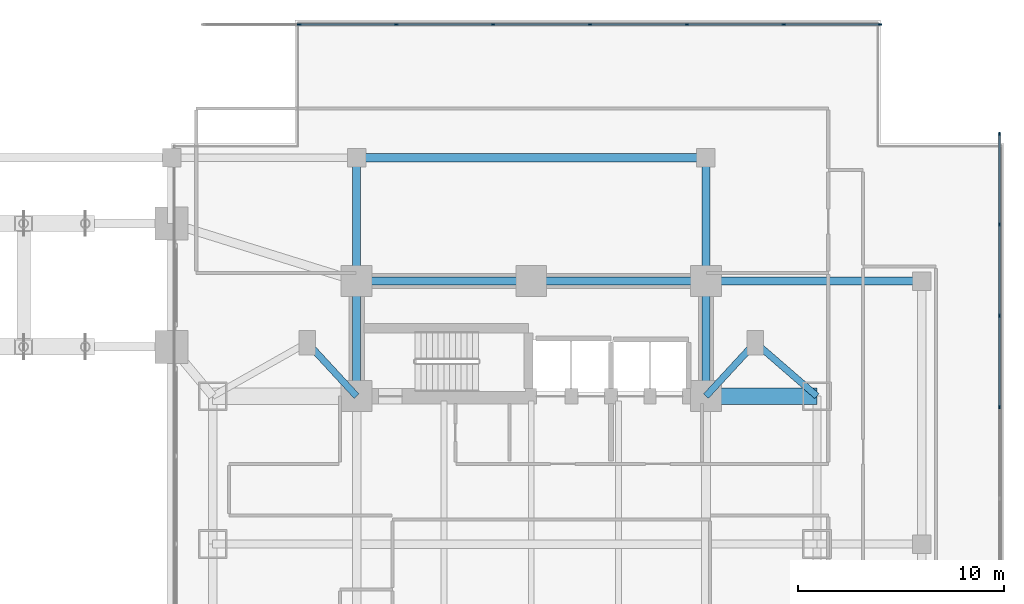
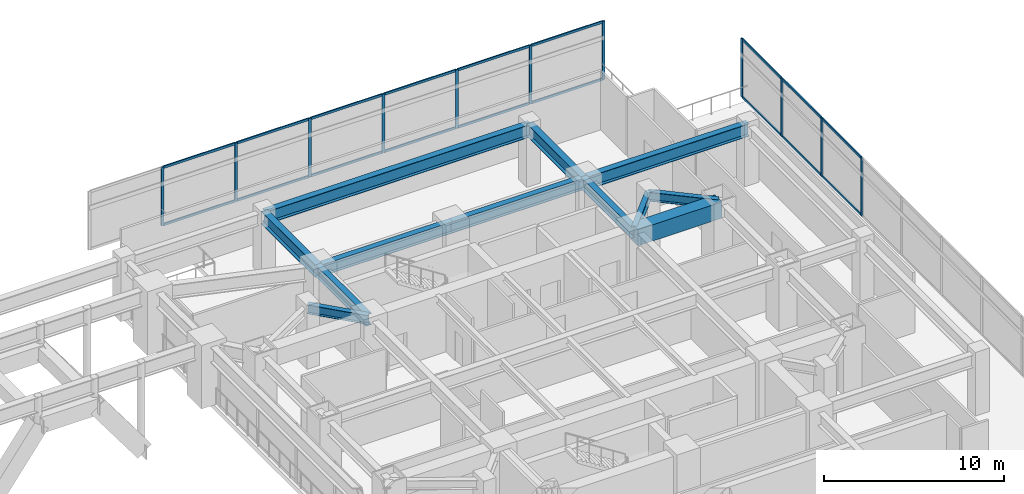
# One storey, part 12 of 30: 29 members, 12 beams, 2 elements without a shape of their own.
"""IFC4 building model written with IfcOpenShell, lengths in metres."""

from ifc_helpers import new_model, si_unit, direction, frame, origin, origin_2d, place, context, subcontext, project, spatial, rectangle, i_section, extrude, material, material_profile, profile_set, type_object, element, aggregate, save


model = new_model("IFC4")

# Units and contexts
model_context = context("Model", 3, precision=1e-05, world=origin(), true_north=direction((0.0, 1.0)))
body_context = subcontext(model_context, "Body", "Model", "MODEL_VIEW")
ifc_project = project(units=[si_unit("LENGTHUNIT", "METRE"), si_unit("AREAUNIT", "SQUARE_METRE"), si_unit("VOLUMEUNIT", "CUBIC_METRE"), si_unit("PLANEANGLEUNIT", "RADIAN"), si_unit("MASSUNIT", "GRAM", prefix="KILO")], contexts=[model_context])

# Site, building, storey
site_placement = place(None, origin())
site = spatial("IfcSite", under=ifc_project, at=site_placement, CompositionType="ELEMENT")
building_placement = place(site_placement, origin())
building = spatial("IfcBuilding", under=site, at=building_placement, Name="Mirazonda Arch Towers", CompositionType="ELEMENT")
storey_placement = place(building_placement, frame((0.0, 0.0, 9.5)))
storey = spatial("IfcBuildingStorey", under=building, at=storey_placement, Name="L02", CompositionType="ELEMENT", Elevation=9.5)

# Beams
ifc_material_1 = material(Name="Steel ASTM A992 Grade 50", Category="steel")
ifc_material_profile_1 = material_profile(ifc_material_1, i_section(OverallWidth=0.39990234375, OverallDepth=0.85595703125, WebThickness=0.018310546875, FlangeThickness=0.029296875, at=origin_2d()), Name="W33X201")
ifc_profile_set_1 = profile_set([ifc_material_profile_1], Name="Steel ASTM A992 Grade 50")
beam_type_1 = type_object("IfcBeamType", Name="BM-EXT-W33X201", PredefinedType="USERDEFINED", material=ifc_profile_set_1)
beam_1_placement = place(storey_placement, frame((68.0, 46.800048828125, 3.552001953125), z_axis=(1.0, 0.0, 0.0), x_axis=(0.0, 1.0, 0.0)))
element("IfcBeam", 1, at=beam_1_placement, inside=storey, type_object=beam_type_1, Name="L02 Floor Beam BM-POD-L02-PN-5", ObjectType="GIRDER", PredefinedType="USERDEFINED", context=body_context, shape_type="SweptSolid", body=[
    extrude(i_section(OverallWidth=0.39990234375, OverallDepth=0.85595703125, WebThickness=0.018310546875, FlangeThickness=0.029296875, at=origin_2d()), origin(), (0.0, 0.0, 1.0), 17.0),
])
ifc_material_profile_2 = material_profile(ifc_material_1, i_section(OverallWidth=0.324951171875, OverallDepth=0.615966796875, WebThickness=0.013916015625, FlangeThickness=0.021484375, at=origin_2d()), Name="W24X117")
ifc_profile_set_2 = profile_set([ifc_material_profile_2], Name="Steel ASTM A992 Grade 50")
beam_type_2 = type_object("IfcBeamType", Name="BM-INT-W24X117", PredefinedType="BEAM", material=ifc_profile_set_2)
for number, where, z_axis, x_axis, name in (
    (2, (65.60009765625, 37.800048828125, 3.672119140625), (0.678251444854, -0.734829897019, 0.0), (0.734829897019, 0.678251444854, 0.0), "L02 Floor Beam BM-T2-L02-PL-NW1"),
    (3, (87.39990234375, 37.800048828125, 3.672119140625), (-0.678251444854, -0.734829897019, 0.0), (0.734829897019, -0.678251444854, 0.0), "L02 Floor Beam BM-T2-L02-PL-NE1"),
):
    element("IfcBeam", number, at=place(storey_placement, frame(where, z_axis=z_axis, x_axis=x_axis)), inside=storey, type_object=beam_type_2, Name=name, PredefinedType="BEAM", context=body_context, shape_type="SweptSolid", body=[
        extrude(i_section(OverallWidth=0.324951171875, OverallDepth=0.615966796875, WebThickness=0.013916015625, FlangeThickness=0.021484375, at=origin_2d()), origin(), (0.0, 0.0, 1.0), 3.538330078125),
    ])
beam_2_placement = place(storey_placement, frame((87.39990234375, 37.800048828125, 3.672119140625), z_axis=(0.755676908098, -0.654944585876, 0.0), x_axis=(0.654944585876, 0.755676908098, 0.0)))
element("IfcBeam", 4, at=beam_2_placement, inside=storey, type_object=beam_type_2, Name="L02 Floor Beam BM-T2-L02-PL-NE2", PredefinedType="BEAM", context=body_context, shape_type="SweptSolid", body=[
    extrude(i_section(OverallWidth=0.324951171875, OverallDepth=0.615966796875, WebThickness=0.013916015625, FlangeThickness=0.021484375, at=origin_2d()), origin(), (0.0, 0.0, 1.0), 3.969970703125),
])
ifc_material_profile_3 = material_profile(ifc_material_1, i_section(OverallWidth=0.381103515625, OverallDepth=0.77294921875, WebThickness=0.0166015625, FlangeThickness=0.027099609375, at=origin_2d()), Name="W30X173")
ifc_profile_set_3 = profile_set([ifc_material_profile_3], Name="Steel ASTM A992 Grade 50")
beam_type_3 = type_object("IfcBeamType", Name="BM-INT-W30X173", PredefinedType="USERDEFINED", material=ifc_profile_set_3)
for number, where, z_axis, x_axis, name in (
    (5, (68.0, 40.800048828125, 3.593505859375), (1.0, 0.0, 0.0), (0.0, 1.0, 0.0), "L02 Floor Beam BM-T2-L02-CN1"),
    (6, (76.5, 40.800048828125, 3.593505859375), (1.0, 0.0, 0.0), (0.0, 1.0, 0.0), "L02 Floor Beam BM-T2-L02-CN2"),
):
    element("IfcBeam", number, at=place(storey_placement, frame(where, z_axis=z_axis, x_axis=x_axis)), inside=storey, type_object=beam_type_3, Name=name, ObjectType="GIRDER", PredefinedType="USERDEFINED", context=body_context, shape_type="SweptSolid", body=[
        extrude(i_section(OverallWidth=0.381103515625, OverallDepth=0.77294921875, WebThickness=0.0166015625, FlangeThickness=0.027099609375, at=origin_2d()), origin(), (0.0, 0.0, 1.0), 8.5),
    ])
for number, where, z_axis, x_axis, name in (
    (7, (68.0, 35.199951171875, 3.593505859375), (0.0, 1.0, 0.0), (-1.0, 0.0, 0.0), "L02 Floor Beam BM-T2-L02-CNW"),
    (8, (85.0, 35.199951171875, 3.593505859375), (0.0, 1.0, 0.0), (-1.0, 0.0, 0.0), "L02 Floor Beam BM-T2-L02-CNE"),
):
    element("IfcBeam", number, at=place(storey_placement, frame(where, z_axis=z_axis, x_axis=x_axis)), inside=storey, type_object=beam_type_3, Name=name, ObjectType="GIRDER", PredefinedType="USERDEFINED", context=body_context, shape_type="SweptSolid", body=[
        extrude(i_section(OverallWidth=0.381103515625, OverallDepth=0.77294921875, WebThickness=0.0166015625, FlangeThickness=0.027099609375, at=origin_2d()), origin(), (0.0, 0.0, 1.0), 5.60009765625),
    ])
ifc_material_profile_4 = material_profile(ifc_material_1, i_section(OverallWidth=0.39990234375, OverallDepth=0.85595703125, WebThickness=0.018310546875, FlangeThickness=0.029296875, at=origin_2d()), Name="W33X201")
ifc_profile_set_4 = profile_set([ifc_material_profile_4], Name="Steel ASTM A992 Grade 50")
beam_type_4 = type_object("IfcBeamType", Name="BM-INT-W33X201", PredefinedType="USERDEFINED", material=ifc_profile_set_4)
for number, where, z_axis, x_axis, name in (
    (9, (68.0, 40.800048828125, 3.552001953125), (0.0, 1.0, 0.0), (-1.0, 0.0, 0.0), "L02 Floor Beam BM-POD-L02-PCN-6"),
    (10, (85.0, 40.800048828125, 3.552001953125), (0.0, 1.0, 0.0), (-1.0, 0.0, 0.0), "L02 Floor Beam BM-POD-L02-PCN-7"),
):
    element("IfcBeam", number, at=place(storey_placement, frame(where, z_axis=z_axis, x_axis=x_axis)), inside=storey, type_object=beam_type_4, Name=name, ObjectType="GIRDER", PredefinedType="USERDEFINED", context=body_context, shape_type="SweptSolid", body=[
        extrude(i_section(OverallWidth=0.39990234375, OverallDepth=0.85595703125, WebThickness=0.018310546875, FlangeThickness=0.029296875, at=origin_2d()), origin(), (0.0, 0.0, 1.0), 6.0),
    ])
beam_3_placement = place(storey_placement, frame((85.0, 40.800048828125, 3.552001953125), z_axis=(1.0, 0.0, 0.0), x_axis=(0.0, 1.0, 0.0)))
element("IfcBeam", 11, at=beam_3_placement, inside=storey, type_object=beam_type_4, Name="L02 Floor Beam BM-POD-L02-PCE-3", ObjectType="GIRDER", PredefinedType="USERDEFINED", context=body_context, shape_type="SweptSolid", body=[
    extrude(i_section(OverallWidth=0.39990234375, OverallDepth=0.85595703125, WebThickness=0.018310546875, FlangeThickness=0.029296875, at=origin_2d()), origin(), (0.0, 0.0, 1.0), 10.5),
])
ifc_material_2 = material(Name="Concrete C60/75", Category="concrete")
ifc_material_profile_5 = material_profile(ifc_material_2, rectangle(XDim=0.800048828125, YDim=1.10009765625, at=origin_2d()), Name="RCCB800x1100")
ifc_profile_set_5 = profile_set([ifc_material_profile_5], Name="Concrete C60/75")
beam_type_5 = type_object("IfcBeamType", Name="CB-INT-RCCB800x1100", PredefinedType="SPANDREL", material=ifc_profile_set_5)
beam_4_placement = place(storey_placement, frame((85.0, 35.199951171875, 3.429931640625), z_axis=(1.0, 0.0, 0.0), x_axis=(0.0, 1.0, 0.0)))
element("IfcBeam", 12, at=beam_4_placement, inside=storey, type_object=beam_type_5, Name="L02 Floor Beam CB-T2-L02-NE", PredefinedType="SPANDREL", context=body_context, shape_type="SweptSolid", body=[
    extrude(rectangle(XDim=0.800048828125, YDim=1.10009765625, at=origin_2d()), origin(), (0.0, 0.0, 1.0), 5.39990234375),
])

# Curtain wall, members
ifc_material_3 = material(Name="Anodised Aluminium and Low-E Glass", Category="aluminium")
curtain_wall_type = type_object("IfcCurtainWallType", Name="CW-POD-STORE", PredefinedType="NOTDEFINED", material=ifc_material_3)
curtain_wall_1_placement = place(storey_placement, origin())
curtain_wall_1 = element("IfcCurtainWall", 13, at=curtain_wall_1_placement, inside=storey, type_object=curtain_wall_type, Name="L02 Curtain Wall CW-L02-EN", PredefinedType="NOTDEFINED")
ifc_material_4 = material(Name="Anodised Aluminium Alloy", Category="aluminium")
ifc_material_profile_6 = material_profile(ifc_material_4, rectangle(XDim=0.080078125, YDim=0.179931640625, at=origin_2d()), Name="ALU-MULL-80x180")
ifc_profile_set_6 = profile_set([ifc_material_profile_6], Name="Anodised Aluminium Alloy")
member_type_1 = type_object("IfcMemberType", Name="MULL-CW-POD-STORE", PredefinedType="MULLION", material=ifc_profile_set_6)
member_1_placement = place(storey_placement, frame((65.21435546875, 53.280029296875, 0.0), z_axis=(0.0, 0.0, 1.0), x_axis=(0.0, 1.0, 0.0)))
member_1 = element("IfcMember", 14, at=member_1_placement, type_object=member_type_1, Name="CW-102 mullion 2", PredefinedType="MULLION", context=body_context, shape_type="SweptSolid", body=[
    extrude(rectangle(XDim=0.080078125, YDim=0.179931640625, at=origin_2d()), origin(), (0.0, 0.0, 1.0), 3.9599609375),
])
member_2_placement = place(storey_placement, frame((69.928466796875, 53.280029296875, 0.0), z_axis=(0.0, 0.0, 1.0), x_axis=(0.0, 1.0, 0.0)))
member_2 = element("IfcMember", 15, at=member_2_placement, type_object=member_type_1, Name="CW-102 mullion 3", PredefinedType="MULLION", context=body_context, shape_type="SweptSolid", body=[
    extrude(rectangle(XDim=0.080078125, YDim=0.179931640625, at=origin_2d()), origin(), (0.0, 0.0, 1.0), 3.9599609375),
])
member_3_placement = place(storey_placement, frame((74.642822265625, 53.280029296875, 0.0), z_axis=(0.0, 0.0, 1.0), x_axis=(0.0, 1.0, 0.0)))
member_3 = element("IfcMember", 16, at=member_3_placement, type_object=member_type_1, Name="CW-102 mullion 4", PredefinedType="MULLION", context=body_context, shape_type="SweptSolid", body=[
    extrude(rectangle(XDim=0.080078125, YDim=0.179931640625, at=origin_2d()), origin(), (0.0, 0.0, 1.0), 3.9599609375),
])
member_4_placement = place(storey_placement, frame((79.357177734375, 53.280029296875, 0.0), z_axis=(0.0, 0.0, 1.0), x_axis=(0.0, 1.0, 0.0)))
member_4 = element("IfcMember", 17, at=member_4_placement, type_object=member_type_1, Name="CW-102 mullion 5", PredefinedType="MULLION", context=body_context, shape_type="SweptSolid", body=[
    extrude(rectangle(XDim=0.080078125, YDim=0.179931640625, at=origin_2d()), origin(), (0.0, 0.0, 1.0), 3.9599609375),
])
member_5_placement = place(storey_placement, frame((84.071533203125, 53.280029296875, 0.0), z_axis=(0.0, 0.0, 1.0), x_axis=(0.0, 1.0, 0.0)))
member_5 = element("IfcMember", 18, at=member_5_placement, type_object=member_type_1, Name="CW-102 mullion 6", PredefinedType="MULLION", context=body_context, shape_type="SweptSolid", body=[
    extrude(rectangle(XDim=0.080078125, YDim=0.179931640625, at=origin_2d()), origin(), (0.0, 0.0, 1.0), 3.9599609375),
])
member_6_placement = place(storey_placement, frame((88.78564453125, 53.280029296875, 0.0), z_axis=(0.0, 0.0, 1.0), x_axis=(0.0, 1.0, 0.0)))
member_6 = element("IfcMember", 19, at=member_6_placement, type_object=member_type_1, Name="CW-102 mullion 7", PredefinedType="MULLION", context=body_context, shape_type="SweptSolid", body=[
    extrude(rectangle(XDim=0.080078125, YDim=0.179931640625, at=origin_2d()), origin(), (0.0, 0.0, 1.0), 3.9599609375),
])
member_7_placement = place(storey_placement, frame((93.4599609375, 53.280029296875, 0.0), z_axis=(0.0, 0.0, 1.0), x_axis=(0.0, 1.0, 0.0)))
member_7 = element("IfcMember", 20, at=member_7_placement, type_object=member_type_1, Name="CW-102 mullion 8", PredefinedType="MULLION", context=body_context, shape_type="SweptSolid", body=[
    extrude(rectangle(XDim=0.080078125, YDim=0.179931640625, at=origin_2d()), origin(), (0.0, 0.0, 1.0), 3.9599609375),
])

curtain_wall_2_placement = place(storey_placement, origin())
curtain_wall_2 = element("IfcCurtainWall", 21, at=curtain_wall_2_placement, inside=storey, type_object=curtain_wall_type, Name="L02 Curtain Wall CW-L02-EE", PredefinedType="NOTDEFINED")
member_8_placement = place(storey_placement, frame((99.280029296875, 34.666748046875, 0.0), z_axis=(0.0, 0.0, 1.0), x_axis=(-1.0, 0.0, 0.0)))
member_8 = element("IfcMember", 22, at=member_8_placement, type_object=member_type_1, Name="CW-102 mullion 7", PredefinedType="MULLION", context=body_context, shape_type="SweptSolid", body=[
    extrude(rectangle(XDim=0.080078125, YDim=0.179931640625, at=origin_2d()), origin(), (0.0, 0.0, 1.0), 3.9599609375),
])
member_9_placement = place(storey_placement, frame((99.280029296875, 39.111083984375, 0.0), z_axis=(0.0, 0.0, 1.0), x_axis=(-1.0, 0.0, 0.0)))
member_9 = element("IfcMember", 23, at=member_9_placement, type_object=member_type_1, Name="CW-102 mullion 8", PredefinedType="MULLION", context=body_context, shape_type="SweptSolid", body=[
    extrude(rectangle(XDim=0.080078125, YDim=0.179931640625, at=origin_2d()), origin(), (0.0, 0.0, 1.0), 3.9599609375),
])
member_10_placement = place(storey_placement, frame((99.280029296875, 43.5556640625, 0.0), z_axis=(0.0, 0.0, 1.0), x_axis=(-1.0, 0.0, 0.0)))
member_10 = element("IfcMember", 24, at=member_10_placement, type_object=member_type_1, Name="CW-102 mullion 9", PredefinedType="MULLION", context=body_context, shape_type="SweptSolid", body=[
    extrude(rectangle(XDim=0.080078125, YDim=0.179931640625, at=origin_2d()), origin(), (0.0, 0.0, 1.0), 3.9599609375),
])
member_11_placement = place(storey_placement, frame((99.280029296875, 47.9599609375, 0.0), z_axis=(0.0, 0.0, 1.0), x_axis=(-1.0, 0.0, 0.0)))
member_11 = element("IfcMember", 25, at=member_11_placement, type_object=member_type_1, Name="CW-102 mullion 10", PredefinedType="MULLION", context=body_context, shape_type="SweptSolid", body=[
    extrude(rectangle(XDim=0.080078125, YDim=0.179931640625, at=origin_2d()), origin(), (0.0, 0.0, 1.0), 3.9599609375),
])

# Member
ifc_material_profile_7 = material_profile(ifc_material_4, rectangle(XDim=0.080078125, YDim=0.159912109375, at=origin_2d()), Name="ALU-TRAN-80x160")
ifc_profile_set_7 = profile_set([ifc_material_profile_7], Name="Anodised Aluminium Alloy")
member_type_2 = type_object("IfcMemberType", Name="TRAN-CW-POD-STORE", PredefinedType="USERDEFINED", material=ifc_profile_set_7)
member_12_placement = place(storey_placement, frame((65.25439453125, 53.280029296875, 0.0400390625), z_axis=(1.0, 0.0, 0.0), x_axis=(0.0, 1.0, 0.0)))
member_12 = element("IfcMember", 26, at=member_12_placement, type_object=member_type_2, Name="CW-102 transom 2.1", ObjectType="TRANSOM", PredefinedType="USERDEFINED", context=body_context, shape_type="SweptSolid", body=[
    extrude(rectangle(XDim=0.080078125, YDim=0.159912109375, at=origin_2d()), origin(), (0.0, 0.0, 1.0), 4.63427734375),
])

member_13_placement = place(storey_placement, frame((65.25439453125, 53.280029296875, 3.919921875), z_axis=(1.0, 0.0, 0.0), x_axis=(0.0, 1.0, 0.0)))
member_13 = element("IfcMember", 27, at=member_13_placement, type_object=member_type_2, Name="CW-102 transom 2.2", ObjectType="TRANSOM", PredefinedType="USERDEFINED", context=body_context, shape_type="SweptSolid", body=[
    extrude(rectangle(XDim=0.080078125, YDim=0.159912109375, at=origin_2d()), origin(), (0.0, 0.0, 1.0), 4.63427734375),
])

member_14_placement = place(storey_placement, frame((69.968505859375, 53.280029296875, 0.0400390625), z_axis=(1.0, 0.0, 0.0), x_axis=(0.0, 1.0, 0.0)))
member_14 = element("IfcMember", 28, at=member_14_placement, type_object=member_type_2, Name="CW-102 transom 3.1", ObjectType="TRANSOM", PredefinedType="USERDEFINED", context=body_context, shape_type="SweptSolid", body=[
    extrude(rectangle(XDim=0.080078125, YDim=0.159912109375, at=origin_2d()), origin(), (0.0, 0.0, 1.0), 4.63427734375),
])

member_15_placement = place(storey_placement, frame((69.968505859375, 53.280029296875, 3.919921875), z_axis=(1.0, 0.0, 0.0), x_axis=(0.0, 1.0, 0.0)))
member_15 = element("IfcMember", 29, at=member_15_placement, type_object=member_type_2, Name="CW-102 transom 3.2", ObjectType="TRANSOM", PredefinedType="USERDEFINED", context=body_context, shape_type="SweptSolid", body=[
    extrude(rectangle(XDim=0.080078125, YDim=0.159912109375, at=origin_2d()), origin(), (0.0, 0.0, 1.0), 4.63427734375),
])

member_16_placement = place(storey_placement, frame((74.682861328125, 53.280029296875, 0.0400390625), z_axis=(1.0, 0.0, 0.0), x_axis=(0.0, 1.0, 0.0)))
member_16 = element("IfcMember", 30, at=member_16_placement, type_object=member_type_2, Name="CW-102 transom 4.1", ObjectType="TRANSOM", PredefinedType="USERDEFINED", context=body_context, shape_type="SweptSolid", body=[
    extrude(rectangle(XDim=0.080078125, YDim=0.159912109375, at=origin_2d()), origin(), (0.0, 0.0, 1.0), 4.63427734375),
])

member_17_placement = place(storey_placement, frame((74.682861328125, 53.280029296875, 3.919921875), z_axis=(1.0, 0.0, 0.0), x_axis=(0.0, 1.0, 0.0)))
member_17 = element("IfcMember", 31, at=member_17_placement, type_object=member_type_2, Name="CW-102 transom 4.2", ObjectType="TRANSOM", PredefinedType="USERDEFINED", context=body_context, shape_type="SweptSolid", body=[
    extrude(rectangle(XDim=0.080078125, YDim=0.159912109375, at=origin_2d()), origin(), (0.0, 0.0, 1.0), 4.63427734375),
])

member_18_placement = place(storey_placement, frame((79.397216796875, 53.280029296875, 0.0400390625), z_axis=(1.0, 0.0, 0.0), x_axis=(0.0, 1.0, 0.0)))
member_18 = element("IfcMember", 32, at=member_18_placement, type_object=member_type_2, Name="CW-102 transom 5.1", ObjectType="TRANSOM", PredefinedType="USERDEFINED", context=body_context, shape_type="SweptSolid", body=[
    extrude(rectangle(XDim=0.080078125, YDim=0.159912109375, at=origin_2d()), origin(), (0.0, 0.0, 1.0), 4.63427734375),
])

member_19_placement = place(storey_placement, frame((79.397216796875, 53.280029296875, 3.919921875), z_axis=(1.0, 0.0, 0.0), x_axis=(0.0, 1.0, 0.0)))
member_19 = element("IfcMember", 33, at=member_19_placement, type_object=member_type_2, Name="CW-102 transom 5.2", ObjectType="TRANSOM", PredefinedType="USERDEFINED", context=body_context, shape_type="SweptSolid", body=[
    extrude(rectangle(XDim=0.080078125, YDim=0.159912109375, at=origin_2d()), origin(), (0.0, 0.0, 1.0), 4.63427734375),
])

member_20_placement = place(storey_placement, frame((84.111328125, 53.280029296875, 0.0400390625), z_axis=(1.0, 0.0, 0.0), x_axis=(0.0, 1.0, 0.0)))
member_20 = element("IfcMember", 34, at=member_20_placement, type_object=member_type_2, Name="CW-102 transom 6.1", ObjectType="TRANSOM", PredefinedType="USERDEFINED", context=body_context, shape_type="SweptSolid", body=[
    extrude(rectangle(XDim=0.080078125, YDim=0.159912109375, at=origin_2d()), origin(), (0.0, 0.0, 1.0), 4.63427734375),
])

member_21_placement = place(storey_placement, frame((84.111328125, 53.280029296875, 3.919921875), z_axis=(1.0, 0.0, 0.0), x_axis=(0.0, 1.0, 0.0)))
member_21 = element("IfcMember", 35, at=member_21_placement, type_object=member_type_2, Name="CW-102 transom 6.2", ObjectType="TRANSOM", PredefinedType="USERDEFINED", context=body_context, shape_type="SweptSolid", body=[
    extrude(rectangle(XDim=0.080078125, YDim=0.159912109375, at=origin_2d()), origin(), (0.0, 0.0, 1.0), 4.63427734375),
])

member_22_placement = place(storey_placement, frame((88.82568359375, 53.280029296875, 0.0400390625), z_axis=(1.0, 0.0, 0.0), x_axis=(0.0, 1.0, 0.0)))
member_22 = element("IfcMember", 36, at=member_22_placement, type_object=member_type_2, Name="CW-102 transom 7.1", ObjectType="TRANSOM", PredefinedType="USERDEFINED", context=body_context, shape_type="SweptSolid", body=[
    extrude(rectangle(XDim=0.080078125, YDim=0.159912109375, at=origin_2d()), origin(), (0.0, 0.0, 1.0), 4.59423828125),
])

member_23_placement = place(storey_placement, frame((88.82568359375, 53.280029296875, 3.919921875), z_axis=(1.0, 0.0, 0.0), x_axis=(0.0, 1.0, 0.0)))
member_23 = element("IfcMember", 37, at=member_23_placement, type_object=member_type_2, Name="CW-102 transom 7.2", ObjectType="TRANSOM", PredefinedType="USERDEFINED", context=body_context, shape_type="SweptSolid", body=[
    extrude(rectangle(XDim=0.080078125, YDim=0.159912109375, at=origin_2d()), origin(), (0.0, 0.0, 1.0), 4.59423828125),
])

aggregate(curtain_wall_1, [member_1, member_2, member_3, member_4, member_5, member_6, member_7, member_12, member_13, member_14, member_15, member_16, member_17, member_18, member_19, member_20, member_21, member_22, member_23])

member_24_placement = place(storey_placement, frame((99.280029296875, 34.706787109375, 0.0400390625), z_axis=(0.0, 1.0, 0.0), x_axis=(-1.0, 0.0, 0.0)))
member_24 = element("IfcMember", 38, at=member_24_placement, type_object=member_type_2, Name="CW-102 transom 7.1", ObjectType="TRANSOM", PredefinedType="USERDEFINED", context=body_context, shape_type="SweptSolid", body=[
    extrude(rectangle(XDim=0.080078125, YDim=0.159912109375, at=origin_2d()), origin(), (0.0, 0.0, 1.0), 4.3642578125),
])

member_25_placement = place(storey_placement, frame((99.280029296875, 34.706787109375, 3.919921875), z_axis=(0.0, 1.0, 0.0), x_axis=(-1.0, 0.0, 0.0)))
member_25 = element("IfcMember", 39, at=member_25_placement, type_object=member_type_2, Name="CW-102 transom 7.2", ObjectType="TRANSOM", PredefinedType="USERDEFINED", context=body_context, shape_type="SweptSolid", body=[
    extrude(rectangle(XDim=0.080078125, YDim=0.159912109375, at=origin_2d()), origin(), (0.0, 0.0, 1.0), 4.3642578125),
])

member_26_placement = place(storey_placement, frame((99.280029296875, 39.151123046875, 0.0400390625), z_axis=(0.0, 1.0, 0.0), x_axis=(-1.0, 0.0, 0.0)))
member_26 = element("IfcMember", 40, at=member_26_placement, type_object=member_type_2, Name="CW-102 transom 8.1", ObjectType="TRANSOM", PredefinedType="USERDEFINED", context=body_context, shape_type="SweptSolid", body=[
    extrude(rectangle(XDim=0.080078125, YDim=0.159912109375, at=origin_2d()), origin(), (0.0, 0.0, 1.0), 4.364501953125),
])

member_27_placement = place(storey_placement, frame((99.280029296875, 39.151123046875, 3.919921875), z_axis=(0.0, 1.0, 0.0), x_axis=(-1.0, 0.0, 0.0)))
member_27 = element("IfcMember", 41, at=member_27_placement, type_object=member_type_2, Name="CW-102 transom 8.2", ObjectType="TRANSOM", PredefinedType="USERDEFINED", context=body_context, shape_type="SweptSolid", body=[
    extrude(rectangle(XDim=0.080078125, YDim=0.159912109375, at=origin_2d()), origin(), (0.0, 0.0, 1.0), 4.364501953125),
])

member_28_placement = place(storey_placement, frame((99.280029296875, 43.595458984375, 0.0400390625), z_axis=(0.0, 1.0, 0.0), x_axis=(-1.0, 0.0, 0.0)))
member_28 = element("IfcMember", 42, at=member_28_placement, type_object=member_type_2, Name="CW-102 transom 9.1", ObjectType="TRANSOM", PredefinedType="USERDEFINED", context=body_context, shape_type="SweptSolid", body=[
    extrude(rectangle(XDim=0.080078125, YDim=0.159912109375, at=origin_2d()), origin(), (0.0, 0.0, 1.0), 4.324462890625),
])

member_29_placement = place(storey_placement, frame((99.280029296875, 43.595458984375, 3.919921875), z_axis=(0.0, 1.0, 0.0), x_axis=(-1.0, 0.0, 0.0)))
member_29 = element("IfcMember", 43, at=member_29_placement, type_object=member_type_2, Name="CW-102 transom 9.2", ObjectType="TRANSOM", PredefinedType="USERDEFINED", context=body_context, shape_type="SweptSolid", body=[
    extrude(rectangle(XDim=0.080078125, YDim=0.159912109375, at=origin_2d()), origin(), (0.0, 0.0, 1.0), 4.324462890625),
])

aggregate(curtain_wall_2, [member_8, member_9, member_10, member_11, member_24, member_25, member_26, member_27, member_28, member_29])

save(model, "model.ifc")
